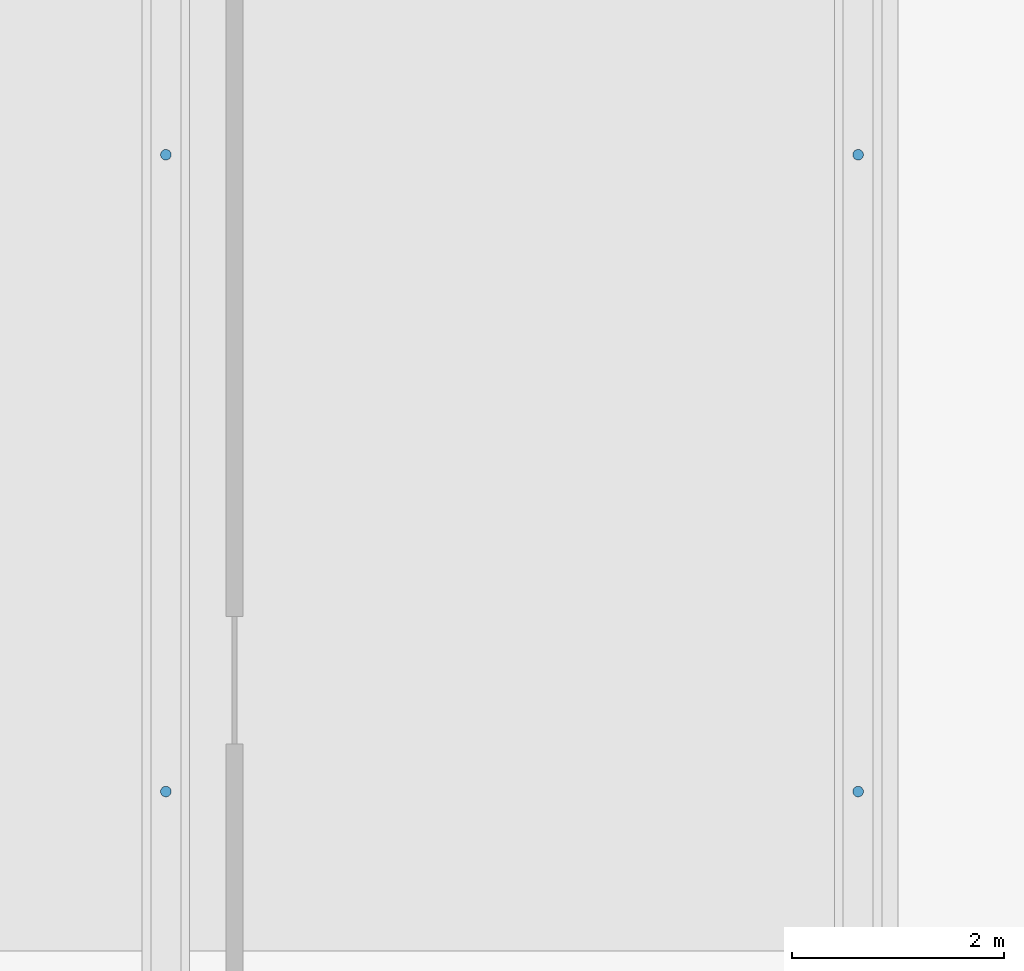
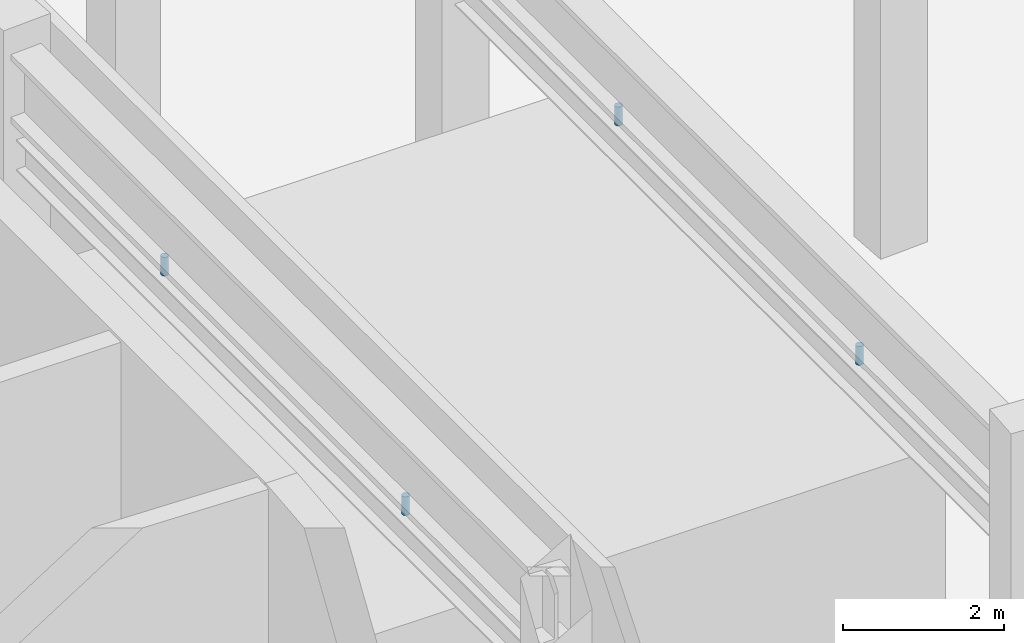
# One storey, part 15 of 25: 4 members.
"""IFC4 building model written with IfcOpenShell, lengths in metres."""

from ifc_helpers import new_model, si_unit, direction, frame, origin, origin_2d, place, context, subcontext, project, spatial, circle, extrude, material, material_profile, profile_set, type_object, element, save


model = new_model("IFC4")

# Units and contexts
model_context = context("Model", 3, precision=1e-05, world=origin(), true_north=direction((0.0, 1.0)))
body_context = subcontext(model_context, "Body", "Model", "MODEL_VIEW")
ifc_project = project(units=[si_unit("LENGTHUNIT", "METRE"), si_unit("AREAUNIT", "SQUARE_METRE"), si_unit("VOLUMEUNIT", "CUBIC_METRE"), si_unit("PLANEANGLEUNIT", "RADIAN"), si_unit("MASSUNIT", "GRAM", prefix="KILO")], contexts=[model_context])

# Site, building, storey
site_placement = place(None, origin())
site = spatial("IfcSite", under=ifc_project, at=site_placement, CompositionType="ELEMENT")
building_placement = place(site_placement, origin())
building = spatial("IfcBuilding", under=site, at=building_placement, Name="Alderwake Tower", CompositionType="ELEMENT")
storey_placement = place(building_placement, frame((0.0, 0.0, 296.0)))
storey = spatial("IfcBuildingStorey", under=building, at=storey_placement, Name="L73", CompositionType="ELEMENT", Elevation=296.0)

# Members
ifc_material = material(Name="Steel strand ASTM A416 Grade 270", Category="steel")
ifc_material_profile = material_profile(ifc_material, circle(Radius=0.050048828125, at=origin_2d()), Name="ROPE 100")
ifc_profile_set = profile_set([ifc_material_profile], Name="Steel strand ASTM A416 Grade 270")
member_type = type_object("IfcMemberType", Name="Damper hanger cable", PredefinedType="MEMBER", material=ifc_profile_set)
for number, where, z_axis, x_axis, name in (
    (1, (35.60302734375, 58.0, 6.772216796875), (0.0, 0.0, 1.0), (1.0, 0.0, 0.0), "Damper hanger cable DH.C2S"),
    (2, (35.60302734375, 64.0, 6.772216796875), (0.0, 0.0, 1.0), (1.0, 0.0, 0.0), "Damper hanger cable DH.C2N"),
    (3, (42.125244140625, 58.0, 6.772216796875), (0.0, 0.0, 1.0), (1.0, 0.0, 0.0), "Damper hanger cable DH.C3S"),
    (4, (42.125244140625, 64.0, 6.772216796875), (0.0, 0.0, 1.0), (1.0, 0.0, 0.0), "Damper hanger cable DH.C3N"),
):
    element("IfcMember", number, at=place(storey_placement, frame(where, z_axis=z_axis, x_axis=x_axis)), inside=storey, type_object=member_type, Name=name, PredefinedType="MEMBER", context=body_context, shape_type="SweptSolid", body=[
        extrude(circle(Radius=0.050048828125, at=origin_2d()), origin(), (0.0, 0.0, 1.0), 0.28515625),
    ])

save(model, "model.ifc")
